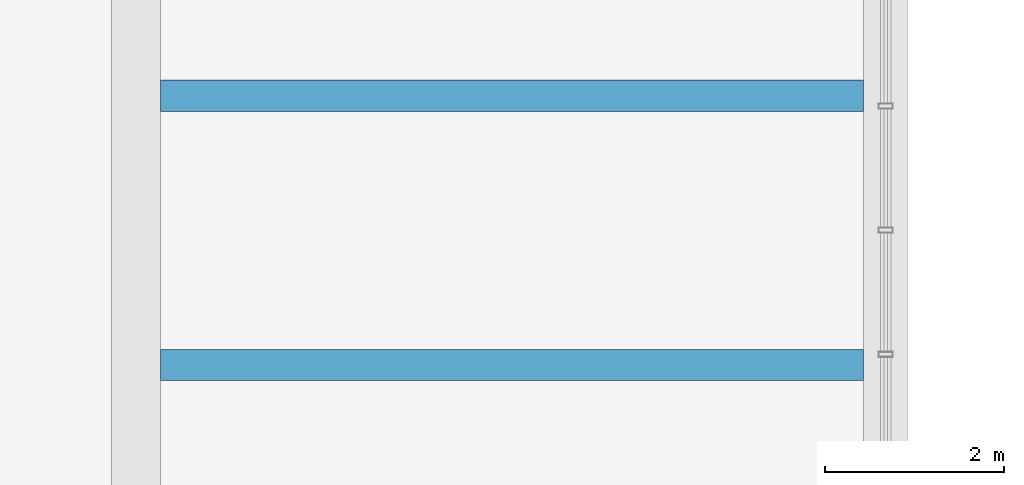
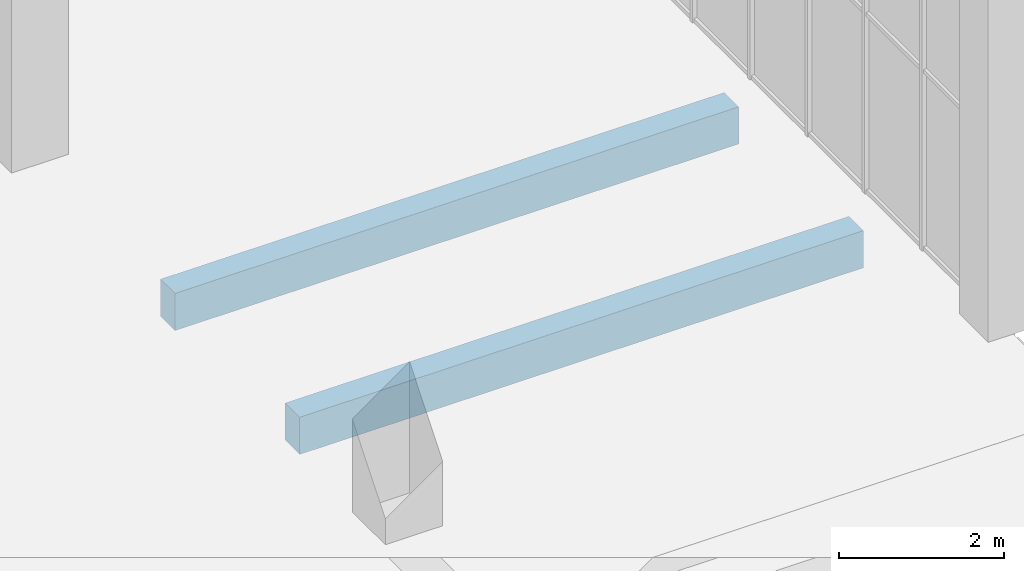
# One storey, part 11 of 91: 2 beams.
"""IFC4 building model written with IfcOpenShell, lengths in metres."""

import ifcopenshell
import ifcopenshell.guid

model = None  # the IFC model being written
_history = None  # IfcOwnerHistory: only IFC2X3 demands one
_inside = {}  # id of a spatial element -> (the spatial element, [elements in it])
_under = {}  # id of a project, library or spatial element -> (it, [spatial elements below it])
_declared = {}  # id of a project -> (the project, [libraries it declares])
_typed = {}  # id of a type object -> (the type object, [elements of that type])
_made_of = {}  # id of a material, layer set ... -> (it, [elements and type objects made of it])


def new_model(schema):
    """Start an empty IFC model of exactly this schema.

    Asked for "IFC4X3", IfcOpenShell would pick the latest addendum, in which some entities
    have other attributes; the version numbers below select the first issue.
    IFC2X3 requires an IfcOwnerHistory on every rooted entity: one is made here for all.
    """
    global model, _history
    if schema == "IFC4X3":
        model = ifcopenshell.file(schema_version=(4, 3, 0, 0))
    else:
        model = ifcopenshell.file(schema=schema)
    _inside.clear()
    _under.clear()
    _declared.clear()
    _typed.clear()
    _made_of.clear()
    _history = None
    if model.schema == "IFC2X3":
        org = make("IfcOrganization", Name="unknown")
        user = make(
            "IfcPersonAndOrganization",
            ThePerson=make("IfcPerson", FamilyName="unknown"),
            TheOrganization=org,
        )
        app = make(
            "IfcApplication",
            ApplicationDeveloper=org,
            Version="unknown",
            ApplicationFullName="unknown",
            ApplicationIdentifier="unknown",
        )
        _history = make(
            "IfcOwnerHistory",
            OwningUser=user,
            OwningApplication=app,
            ChangeAction="ADDED",
            CreationDate=0,
        )
    return model


def make(cls, **values):
    """One entity of the class cls with the attributes given. An attribute that is None is left unset."""
    return model.create_entity(
        cls, **{name: value for name, value in values.items() if value is not None}
    )


def rooted(cls, **values):
    """An entity with a GlobalId (a new one), such as an element, a storey or a relation."""
    return make(cls, GlobalId=ifcopenshell.guid.new(), OwnerHistory=_history, **values)


def si_unit(unit_type, name, prefix=None):
    """IfcSIUnit, for example si_unit("LENGTHUNIT", "METRE", prefix="MILLI")."""
    return make("IfcSIUnit", UnitType=unit_type, Prefix=prefix, Name=name)


def assignment(units):
    """IfcUnitAssignment: the units of a project."""
    return None if units is None else make("IfcUnitAssignment", Units=units)


def point(xyz):
    """IfcCartesianPoint."""
    return None if xyz is None else make("IfcCartesianPoint", Coordinates=xyz)


def direction(xyz):
    """IfcDirection."""
    return None if xyz is None else make("IfcDirection", DirectionRatios=xyz)


def frame(location, z_axis=None, x_axis=None):
    """IfcAxis2Placement3D, a coordinate frame: its origin and axes. An axis left out is left unset."""
    return make(
        "IfcAxis2Placement3D",
        Location=point(location),
        Axis=direction(z_axis),
        RefDirection=direction(x_axis),
    )


def frame_2d(location, x_axis=None):
    """IfcAxis2Placement2D, a coordinate frame in the plane: its origin and x axis."""
    return make(
        "IfcAxis2Placement2D", Location=point(location), RefDirection=direction(x_axis)
    )


def origin():
    """The frame at (0, 0, 0) with its axes left unset."""
    return frame((0.0, 0.0, 0.0))


def origin_2d():
    """The frame at (0, 0) in the plane with its x axis left unset."""
    return frame_2d((0.0, 0.0))


def place(relative_to, where):
    """IfcLocalPlacement: puts the frame where relative to a parent placement (None: the world)."""
    return make(
        "IfcLocalPlacement", PlacementRelTo=relative_to, RelativePlacement=where
    )


def context(
    kind, dimensions, precision=None, world=None, true_north=None, identifier=None
):
    """IfcGeometricRepresentationContext, for example the 3D "Model" context."""
    return make(
        "IfcGeometricRepresentationContext",
        ContextIdentifier=identifier,
        ContextType=kind,
        CoordinateSpaceDimension=dimensions,
        Precision=precision,
        WorldCoordinateSystem=world,
        TrueNorth=true_north,
    )


def subcontext(parent, identifier, kind, view, scale=None):
    """IfcGeometricRepresentationSubContext, for example "Body" below "Model"."""
    return make(
        "IfcGeometricRepresentationSubContext",
        ContextIdentifier=identifier,
        ContextType=kind,
        ParentContext=parent,
        TargetScale=scale,
        TargetView=view,
    )


def project(units=None, contexts=None):
    """IfcProject with its units and contexts."""
    return rooted(
        "IfcProject",
        Name="project",
        RepresentationContexts=contexts,
        UnitsInContext=assignment(units),
    )


def spatial(cls, under=None, at=None, **own):
    """A site, building, storey or space (cls), placed at a placement, below another one or the project."""
    s = rooted(cls, ObjectPlacement=at, **own)
    if under is not None:
        _under.setdefault(under.id(), (under, []))[1].append(s)
    return s


def profile(cls, at=None, kind="AREA", **sizes):
    """A parametric profile (cls). Its sizes go by their IFC names, for example OverallWidth=200.0."""
    return make(cls, ProfileType=kind, Position=at, **sizes)


def rectangle(**sizes):
    """IfcRectangleProfileDef."""
    return profile("IfcRectangleProfileDef", **sizes)


def extrude(swept, where, along, depth):
    """IfcExtrudedAreaSolid: the profile swept, set in the frame where, extruded along a direction by depth."""
    return make(
        "IfcExtrudedAreaSolid",
        SweptArea=swept,
        Position=where,
        ExtrudedDirection=direction(along),
        Depth=depth,
    )


def shape(context_of_items, identifier, shape_type, items):
    """IfcShapeRepresentation: the items that make up one representation, for example the "Body"."""
    return make(
        "IfcShapeRepresentation",
        ContextOfItems=context_of_items,
        RepresentationIdentifier=identifier,
        RepresentationType=shape_type,
        Items=items,
    )


def material(Name=None, Category=None):
    """IfcMaterial."""
    return make("IfcMaterial", Name=Name, Category=Category)


def material_profile(
    of_material, cross_section, Name=None, Category=None, Priority=None
):
    """IfcMaterialProfile: a cross section and its material."""
    return make(
        "IfcMaterialProfile",
        Name=Name,
        Material=of_material,
        Profile=cross_section,
        Priority=Priority,
        Category=Category,
    )


def profile_set(profiles, Name=None, composite=None):
    """IfcMaterialProfileSet."""
    return make(
        "IfcMaterialProfileSet",
        Name=Name,
        MaterialProfiles=profiles,
        CompositeProfile=composite,
    )


def made_of(thing, what):
    """Note that an element or type object is made of a material, layer set ...; save() writes the relation."""
    if what is not None:
        _made_of.setdefault(what.id(), (what, []))[1].append(thing)
    return thing


def type_object(cls, material=None, **own):
    """A type object (cls), such as IfcWallType, which elements share."""
    return made_of(rooted(cls, **own), material)


def element(
    cls,
    number,
    at=None,
    inside=None,
    cuts=None,
    type_object=None,
    material=None,
    context=None,
    identifier="Body",
    shape_type=None,
    held_by="IfcProductDefinitionShape",
    body=None,
    shapes=None,
    **own,
):
    """One element of the class cls, such as IfcWall. Its Tag is "e" and its number.

    at: its placement. inside: the storey or other place that contains it. cuts: it is an
    opening in that element (IfcRelVoidsElement). A single representation is given by context,
    identifier, shape_type and body (its items); several are given by shapes. held_by: the class
    of the entity that holds the representations. save() writes the other relations.
    """
    e = rooted(cls, Tag="e%d" % number, ObjectPlacement=at, **own)
    if body is not None:
        shapes = [shape(context, identifier, shape_type, body)]
    if shapes is not None:
        e.Representation = make(held_by, Representations=shapes)
    if inside is not None:
        _inside.setdefault(inside.id(), (inside, []))[1].append(e)
    if cuts is not None:
        rooted(
            "IfcRelVoidsElement", RelatingBuildingElement=cuts, RelatedOpeningElement=e
        )
    if type_object is not None:
        _typed.setdefault(type_object.id(), (type_object, []))[1].append(e)
    return made_of(e, material)


def aggregate(whole, parts):
    """IfcRelAggregates: a whole, such as a stair, and the parts it consists of."""
    return rooted("IfcRelAggregates", RelatingObject=whole, RelatedObjects=parts)


def save(model, path):
    """Write the relations noted so far, then the file.

    IfcRelAggregates (storeys below a building ...), IfcRelContainedInSpatialStructure (elements
    in a storey), IfcRelDefinesByType, IfcRelAssociatesMaterial and IfcRelDeclares: one each for
    every whole, place, type object, material and project.
    """
    for whole, parts in _under.values():
        aggregate(whole, parts)
    for where, things in _inside.values():
        rooted(
            "IfcRelContainedInSpatialStructure",
            RelatedElements=things,
            RelatingStructure=where,
        )
    for kind, things in _typed.values():
        rooted("IfcRelDefinesByType", RelatedObjects=things, RelatingType=kind)
    for what, things in _made_of.values():
        rooted("IfcRelAssociatesMaterial", RelatedObjects=things, RelatingMaterial=what)
    for by, libraries in _declared.values():
        rooted("IfcRelDeclares", RelatingContext=by, RelatedDefinitions=libraries)
    model.write(path)


model = new_model("IFC4")

# Units and contexts
model_context = context("Model", 3, precision=1e-05, world=origin(), true_north=direction((0.0, 1.0)))
body_context = subcontext(model_context, "Body", "Model", "MODEL_VIEW")
ifc_project = project(units=[si_unit("LENGTHUNIT", "METRE"), si_unit("AREAUNIT", "SQUARE_METRE"), si_unit("VOLUMEUNIT", "CUBIC_METRE"), si_unit("PLANEANGLEUNIT", "RADIAN"), si_unit("MASSUNIT", "GRAM", prefix="KILO")], contexts=[model_context])

# Site, building, storey
site_placement = place(None, origin())
site = spatial("IfcSite", under=ifc_project, at=site_placement, CompositionType="ELEMENT")
building_placement = place(site_placement, origin())
building = spatial("IfcBuilding", under=site, at=building_placement, Name="Khurvash Pelagic Aquarium", CompositionType="ELEMENT")
storey_placement = place(building_placement, origin())
storey = spatial("IfcBuildingStorey", under=building, at=storey_placement, Name="L00", CompositionType="ELEMENT", Elevation=0.0)

# Beams
ifc_material = material(Name="Concrete C35/45", Category="concrete")
ifc_material_profile = material_profile(ifc_material, rectangle(XDim=0.35009765625, YDim=0.550048828125, at=origin_2d()), Name="RC350X550")
ifc_profile_set = profile_set([ifc_material_profile], Name="Concrete C35/45")
beam_type = type_object("IfcBeamType", Name="JS-01", PredefinedType="JOIST", material=ifc_profile_set)
for number, where, z_axis, x_axis, name in (
    (1, (25.47509765625, 41.81689453125, -0.594970703125), (1.0, 0.0, 0.0), (0.0, 1.0, 0.0), "L00 Floor Joist JS-01 00159"),
    (2, (25.47509765625, 44.8330078125, -0.594970703125), (1.0, 0.0, 0.0), (0.0, 1.0, 0.0), "L00 Floor Joist JS-01 00160"),
):
    element("IfcBeam", number, at=place(storey_placement, frame(where, z_axis=z_axis, x_axis=x_axis)), inside=storey, type_object=beam_type, Name=name, PredefinedType="JOIST", context=body_context, shape_type="SweptSolid", body=[
        extrude(rectangle(XDim=0.35009765625, YDim=0.550048828125, at=origin_2d()), origin(), (0.0, 0.0, 1.0), 7.875),
    ])

save(model, "model.ifc")
